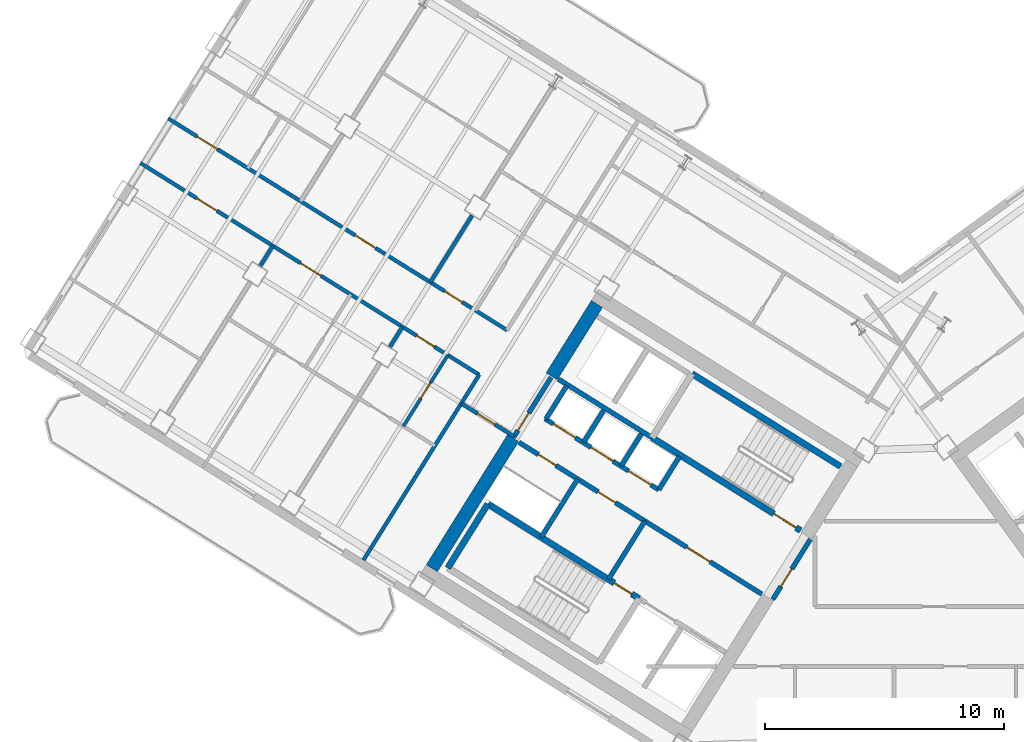
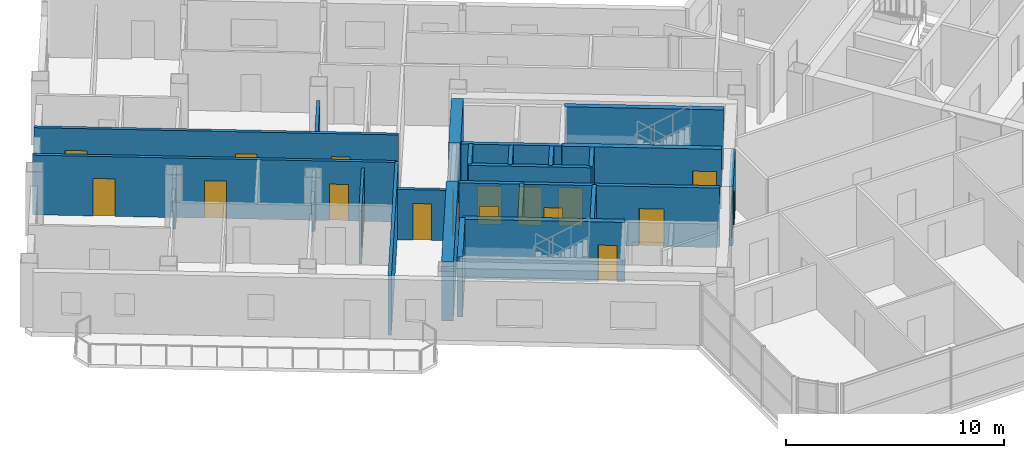
# One storey, part 12 of 20: 26 walls, 18 doors, 18 openings.
"""IFC4 building model written with IfcOpenShell, lengths in metres."""

import ifcopenshell
import ifcopenshell.guid

model = None  # the IFC model being written
_history = None  # IfcOwnerHistory: only IFC2X3 demands one
_inside = {}  # id of a spatial element -> (the spatial element, [elements in it])
_under = {}  # id of a project, library or spatial element -> (it, [spatial elements below it])
_declared = {}  # id of a project -> (the project, [libraries it declares])
_typed = {}  # id of a type object -> (the type object, [elements of that type])
_made_of = {}  # id of a material, layer set ... -> (it, [elements and type objects made of it])


def new_model(schema):
    """Start an empty IFC model of exactly this schema.

    Asked for "IFC4X3", IfcOpenShell would pick the latest addendum, in which some entities
    have other attributes; the version numbers below select the first issue.
    IFC2X3 requires an IfcOwnerHistory on every rooted entity: one is made here for all.
    """
    global model, _history
    if schema == "IFC4X3":
        model = ifcopenshell.file(schema_version=(4, 3, 0, 0))
    else:
        model = ifcopenshell.file(schema=schema)
    _inside.clear()
    _under.clear()
    _declared.clear()
    _typed.clear()
    _made_of.clear()
    _history = None
    if model.schema == "IFC2X3":
        org = make("IfcOrganization", Name="unknown")
        user = make(
            "IfcPersonAndOrganization",
            ThePerson=make("IfcPerson", FamilyName="unknown"),
            TheOrganization=org,
        )
        app = make(
            "IfcApplication",
            ApplicationDeveloper=org,
            Version="unknown",
            ApplicationFullName="unknown",
            ApplicationIdentifier="unknown",
        )
        _history = make(
            "IfcOwnerHistory",
            OwningUser=user,
            OwningApplication=app,
            ChangeAction="ADDED",
            CreationDate=0,
        )
    return model


def make(cls, **values):
    """One entity of the class cls with the attributes given. An attribute that is None is left unset."""
    return model.create_entity(
        cls, **{name: value for name, value in values.items() if value is not None}
    )


def rooted(cls, **values):
    """An entity with a GlobalId (a new one), such as an element, a storey or a relation."""
    return make(cls, GlobalId=ifcopenshell.guid.new(), OwnerHistory=_history, **values)


def si_unit(unit_type, name, prefix=None):
    """IfcSIUnit, for example si_unit("LENGTHUNIT", "METRE", prefix="MILLI")."""
    return make("IfcSIUnit", UnitType=unit_type, Prefix=prefix, Name=name)


def assignment(units):
    """IfcUnitAssignment: the units of a project."""
    return None if units is None else make("IfcUnitAssignment", Units=units)


def point(xyz):
    """IfcCartesianPoint."""
    return None if xyz is None else make("IfcCartesianPoint", Coordinates=xyz)


def direction(xyz):
    """IfcDirection."""
    return None if xyz is None else make("IfcDirection", DirectionRatios=xyz)


def frame(location, z_axis=None, x_axis=None):
    """IfcAxis2Placement3D, a coordinate frame: its origin and axes. An axis left out is left unset."""
    return make(
        "IfcAxis2Placement3D",
        Location=point(location),
        Axis=direction(z_axis),
        RefDirection=direction(x_axis),
    )


def frame_2d(location, x_axis=None):
    """IfcAxis2Placement2D, a coordinate frame in the plane: its origin and x axis."""
    return make(
        "IfcAxis2Placement2D", Location=point(location), RefDirection=direction(x_axis)
    )


def origin():
    """The frame at (0, 0, 0) with its axes left unset."""
    return frame((0.0, 0.0, 0.0))


def place(relative_to, where):
    """IfcLocalPlacement: puts the frame where relative to a parent placement (None: the world)."""
    return make(
        "IfcLocalPlacement", PlacementRelTo=relative_to, RelativePlacement=where
    )


def context(
    kind, dimensions, precision=None, world=None, true_north=None, identifier=None
):
    """IfcGeometricRepresentationContext, for example the 3D "Model" context."""
    return make(
        "IfcGeometricRepresentationContext",
        ContextIdentifier=identifier,
        ContextType=kind,
        CoordinateSpaceDimension=dimensions,
        Precision=precision,
        WorldCoordinateSystem=world,
        TrueNorth=true_north,
    )


def subcontext(parent, identifier, kind, view, scale=None):
    """IfcGeometricRepresentationSubContext, for example "Body" below "Model"."""
    return make(
        "IfcGeometricRepresentationSubContext",
        ContextIdentifier=identifier,
        ContextType=kind,
        ParentContext=parent,
        TargetScale=scale,
        TargetView=view,
    )


def project(units=None, contexts=None):
    """IfcProject with its units and contexts."""
    return rooted(
        "IfcProject",
        Name="project",
        RepresentationContexts=contexts,
        UnitsInContext=assignment(units),
    )


def spatial(cls, under=None, at=None, **own):
    """A site, building, storey or space (cls), placed at a placement, below another one or the project."""
    s = rooted(cls, ObjectPlacement=at, **own)
    if under is not None:
        _under.setdefault(under.id(), (under, []))[1].append(s)
    return s


def profile(cls, at=None, kind="AREA", **sizes):
    """A parametric profile (cls). Its sizes go by their IFC names, for example OverallWidth=200.0."""
    return make(cls, ProfileType=kind, Position=at, **sizes)


def rectangle(**sizes):
    """IfcRectangleProfileDef."""
    return profile("IfcRectangleProfileDef", **sizes)


def extrude(swept, where, along, depth):
    """IfcExtrudedAreaSolid: the profile swept, set in the frame where, extruded along a direction by depth."""
    return make(
        "IfcExtrudedAreaSolid",
        SweptArea=swept,
        Position=where,
        ExtrudedDirection=direction(along),
        Depth=depth,
    )


def shape(context_of_items, identifier, shape_type, items):
    """IfcShapeRepresentation: the items that make up one representation, for example the "Body"."""
    return make(
        "IfcShapeRepresentation",
        ContextOfItems=context_of_items,
        RepresentationIdentifier=identifier,
        RepresentationType=shape_type,
        Items=items,
    )


def source(mapping_origin, context_of_items, identifier, shape_type, items):
    """IfcRepresentationMap: a shape defined once, which mapped items show again and again."""
    return make(
        "IfcRepresentationMap",
        MappingOrigin=mapping_origin,
        MappedRepresentation=shape(context_of_items, identifier, shape_type, items),
    )


def transform(
    local_origin,
    x_axis=None,
    y_axis=None,
    z_axis=None,
    scale=None,
    scale2=None,
    scale3=None,
    uniform=True,
):
    """IfcCartesianTransformationOperator3D, or its non-uniform kind. x_axis, y_axis, z_axis: its Axis1, 2, 3."""
    if uniform:
        return make(
            "IfcCartesianTransformationOperator3D",
            Axis1=direction(x_axis),
            Axis2=direction(y_axis),
            LocalOrigin=point(local_origin),
            Scale=scale,
            Axis3=direction(z_axis),
        )
    return make(
        "IfcCartesianTransformationOperator3DnonUniform",
        Axis1=direction(x_axis),
        Axis2=direction(y_axis),
        LocalOrigin=point(local_origin),
        Scale=scale,
        Axis3=direction(z_axis),
        Scale2=scale2,
        Scale3=scale3,
    )


def mapped(mapping_source, mapping_target):
    """IfcMappedItem: shows the shape of a source again, moved by a transform."""
    return make(
        "IfcMappedItem", MappingSource=mapping_source, MappingTarget=mapping_target
    )


def material(Name=None, Category=None):
    """IfcMaterial."""
    return make("IfcMaterial", Name=Name, Category=Category)


def layer(
    of_material, thickness, ventilated=None, Name=None, Category=None, Priority=None
):
    """IfcMaterialLayer: one layer of a wall or slab, of a material (None: an air gap)."""
    return make(
        "IfcMaterialLayer",
        Material=of_material,
        LayerThickness=thickness,
        IsVentilated=ventilated,
        Name=Name,
        Category=Category,
        Priority=Priority,
    )


def layer_set(layers, Name=None):
    """IfcMaterialLayerSet."""
    return make("IfcMaterialLayerSet", MaterialLayers=layers, LayerSetName=Name)


def made_of(thing, what):
    """Note that an element or type object is made of a material, layer set ...; save() writes the relation."""
    if what is not None:
        _made_of.setdefault(what.id(), (what, []))[1].append(thing)
    return thing


def type_object(cls, material=None, **own):
    """A type object (cls), such as IfcWallType, which elements share."""
    return made_of(rooted(cls, **own), material)


def element(
    cls,
    number,
    at=None,
    inside=None,
    cuts=None,
    type_object=None,
    material=None,
    context=None,
    identifier="Body",
    shape_type=None,
    held_by="IfcProductDefinitionShape",
    body=None,
    shapes=None,
    **own,
):
    """One element of the class cls, such as IfcWall. Its Tag is "e" and its number.

    at: its placement. inside: the storey or other place that contains it. cuts: it is an
    opening in that element (IfcRelVoidsElement). A single representation is given by context,
    identifier, shape_type and body (its items); several are given by shapes. held_by: the class
    of the entity that holds the representations. save() writes the other relations.
    """
    e = rooted(cls, Tag="e%d" % number, ObjectPlacement=at, **own)
    if body is not None:
        shapes = [shape(context, identifier, shape_type, body)]
    if shapes is not None:
        e.Representation = make(held_by, Representations=shapes)
    if inside is not None:
        _inside.setdefault(inside.id(), (inside, []))[1].append(e)
    if cuts is not None:
        rooted(
            "IfcRelVoidsElement", RelatingBuildingElement=cuts, RelatedOpeningElement=e
        )
    if type_object is not None:
        _typed.setdefault(type_object.id(), (type_object, []))[1].append(e)
    return made_of(e, material)


def fill(opening, filler):
    """IfcRelFillsElement: the door or window that sits in an opening."""
    return rooted(
        "IfcRelFillsElement",
        RelatingOpeningElement=opening,
        RelatedBuildingElement=filler,
    )


def aggregate(whole, parts):
    """IfcRelAggregates: a whole, such as a stair, and the parts it consists of."""
    return rooted("IfcRelAggregates", RelatingObject=whole, RelatedObjects=parts)


def save(model, path):
    """Write the relations noted so far, then the file.

    IfcRelAggregates (storeys below a building ...), IfcRelContainedInSpatialStructure (elements
    in a storey), IfcRelDefinesByType, IfcRelAssociatesMaterial and IfcRelDeclares: one each for
    every whole, place, type object, material and project.
    """
    for whole, parts in _under.values():
        aggregate(whole, parts)
    for where, things in _inside.values():
        rooted(
            "IfcRelContainedInSpatialStructure",
            RelatedElements=things,
            RelatingStructure=where,
        )
    for kind, things in _typed.values():
        rooted("IfcRelDefinesByType", RelatedObjects=things, RelatingType=kind)
    for what, things in _made_of.values():
        rooted("IfcRelAssociatesMaterial", RelatedObjects=things, RelatingMaterial=what)
    for by, libraries in _declared.values():
        rooted("IfcRelDeclares", RelatingContext=by, RelatedDefinitions=libraries)
    model.write(path)


model = new_model("IFC4")

# Units and contexts
model_context = context("Model", 3, precision=1e-05, world=origin(), true_north=direction((0.0, 1.0)))
body_context = subcontext(model_context, "Body", "Model", "MODEL_VIEW")
ifc_project = project(units=[si_unit("LENGTHUNIT", "METRE"), si_unit("AREAUNIT", "SQUARE_METRE"), si_unit("VOLUMEUNIT", "CUBIC_METRE"), si_unit("PLANEANGLEUNIT", "RADIAN"), si_unit("MASSUNIT", "GRAM", prefix="KILO")], contexts=[model_context])

# Site, building, storey
site_placement = place(None, origin())
site = spatial("IfcSite", under=ifc_project, at=site_placement, CompositionType="ELEMENT")
building_placement = place(site_placement, origin())
building = spatial("IfcBuilding", under=site, at=building_placement, Name="Tlacorven Tower", CompositionType="ELEMENT")
storey_placement = place(building_placement, frame((0.0, 0.0, 187.800048828125)))
storey = spatial("IfcBuildingStorey", under=building, at=storey_placement, Name="L47", CompositionType="ELEMENT", Elevation=187.800048828125)

# Walls
ifc_material_1 = material(Name="Concrete C60/75", Category="concrete")
ifc_layer_1 = layer(ifc_material_1, 0.550048828125)
ifc_layer_set_1 = layer_set([ifc_layer_1], Name="Concrete C60/75")
wall_type_1 = type_object("IfcWallType", Name="WL-COR-550", PredefinedType="SHEAR", material=ifc_layer_set_1)
wall_1_placement = place(storey_placement, frame((29.517333984375, 30.59423828125, 0.0), z_axis=(0.0, 0.0, 1.0), x_axis=(-0.529906864564, -0.848055844204, 0.0)))
element("IfcWall", 1, at=wall_1_placement, inside=storey, type_object=wall_type_1, Name="L47 W core end wall E2.1", PredefinedType="SHEAR", context=body_context, shape_type="SweptSolid", body=[
    extrude(rectangle(XDim=3.5751953125, YDim=0.550048828125, at=frame_2d((1.78759765625, 0.0))), origin(), (0.0, 0.0, 1.0), 3.349853515625),
])
wall_2_placement = place(storey_placement, frame((26.006591796875, 24.975830078125, 0.0), z_axis=(0.0, 0.0, 1.0), x_axis=(-0.529923795287, -0.848045264823, 0.0)))
element("IfcWall", 2, at=wall_2_placement, inside=storey, type_object=wall_type_1, Name="L47 W core end wall E2.2", PredefinedType="SHEAR", context=body_context, shape_type="SweptSolid", body=[
    extrude(rectangle(XDim=6.425048828125, YDim=0.550048828125, at=frame_2d((3.21240234375, 0.0))), origin(), (0.0, 0.0, 1.0), 3.349853515625),
])

# Wall, opening, door
ifc_material_2 = material(Name="Gypsum plasterboard acoustic partition", Category="gypsum")
ifc_layer_2 = layer(ifc_material_2, 0.159912109375)
ifc_layer_set_2 = layer_set([ifc_layer_2], Name="Gypsum plasterboard acoustic partition")
wall_type_2 = type_object("IfcWallType", Name="WL-DEM-160", PredefinedType="PARTITIONING", material=ifc_layer_set_2)
wall_3_placement = place(storey_placement, frame((26.048828125, 25.043701171875, 0.0), z_axis=(0.0, 0.0, 1.0), x_axis=(-0.848050851465, 0.529914854792, 0.0)))
wall_3 = element("IfcWall", 3, at=wall_3_placement, inside=storey, type_object=wall_type_2, Name="L47 partition 44", PredefinedType="PARTITIONING", context=body_context, shape_type="SweptSolid", body=[
    extrude(rectangle(XDim=2.60986328125, YDim=0.159912109375, at=frame_2d((1.304931640625, 0.0))), origin(), (0.0, 0.0, 1.0), 2.824951171875),
])
opening_1_placement = place(wall_3_placement, frame((0.949951171875, 0.0, 0.0)))
opening_1 = element("IfcOpeningElement", 4, at=opening_1_placement, cuts=wall_3, Name="Opening D19", PredefinedType="OPENING", context=body_context, shape_type="SweptSolid", body=[
    extrude(rectangle(XDim=0.860107421875, YDim=2.050048828125, at=frame_2d((0.43017578125, 1.02490234375))), frame((0.0, 0.08984375, 0.0), z_axis=(0.0, -1.0, 0.0), x_axis=(1.0, 0.0, 0.0)), (0.0, 0.0, 1.0), 0.179931640625),
])
ifc_material_3 = material(Name="Fire-rated steel door assembly", Category="steel")
door_type_1 = type_object("IfcDoorType", Name="DR-RSR-FD60-0860", OperationType="NOTDEFINED", PredefinedType="DOOR", material=ifc_material_3)
shared_shape_1 = source(origin(), body_context, "Body", "SweptSolid", [
    extrude(rectangle(XDim=0.860107421875, YDim=2.050048828125, at=frame_2d((0.43017578125, 1.02490234375))), frame((0.0, 0.02490234375, 0.0), z_axis=(0.0, -1.0, 0.0), x_axis=(1.0, 0.0, 0.0)), (0.0, 0.0, 1.0), 0.050048828125),
])
door_1_placement = place(opening_1_placement, origin())
door_1 = element("IfcDoor", 5, at=door_1_placement, inside=storey, type_object=door_type_1, Name="L47 door 020", OperationType="SINGLE_SWING_LEFT", OverallHeight=2.050048828125, OverallWidth=0.860107421875, PredefinedType="DOOR", context=body_context, shape_type="MappedRepresentation", body=[
    mapped(shared_shape_1, transform((0.0, 0.0, 0.0), scale=1.0)),
])
fill(opening_1, door_1)

# Wall
wall_4_placement = place(storey_placement, frame((24.587890625, 27.630859375, 0.0), z_axis=(0.0, 0.0, 1.0), x_axis=(-0.529914992377, -0.848050765494, 0.0)))
element("IfcWall", 6, at=wall_4_placement, inside=storey, type_object=wall_type_2, Name="L47 partition 46", PredefinedType="PARTITIONING", context=body_context, shape_type="SweptSolid", body=[
    extrude(rectangle(XDim=9.14990234375, YDim=0.159912109375, at=frame_2d((4.574951171875, 0.0))), origin(), (0.0, 0.0, 1.0), 3.33984375),
])

# Wall, openings, doors
wall_5_placement = place(storey_placement, frame((25.75390625, 29.49658203125, 0.0), z_axis=(0.0, 0.0, 1.0), x_axis=(-0.848045850158, 0.529922858565, 0.0)))
wall_5 = element("IfcWall", 7, at=wall_5_placement, inside=storey, type_object=wall_type_2, Name="L47 Wing W Corridor South Wall", PredefinedType="PARTITIONING", context=body_context, shape_type="SweptSolid", body=[
    extrude(rectangle(XDim=16.730224609375, YDim=0.159912109375, at=frame_2d((8.365234375, 0.0))), origin(), (0.0, 0.0, 1.0), 3.33984375),
])
opening_2_placement = place(wall_5_placement, frame((2.219970703125, 0.0, 0.0)))
opening_2 = element("IfcOpeningElement", 8, at=opening_2_placement, cuts=wall_5, Name="Opening D19", PredefinedType="OPENING", context=body_context, shape_type="SweptSolid", body=[
    extrude(rectangle(XDim=0.860107421875, YDim=2.050048828125, at=frame_2d((0.43017578125, 1.02490234375))), frame((0.0, 0.08984375, 0.0), z_axis=(0.0, -1.0, 0.0), x_axis=(1.0, 0.0, 0.0)), (0.0, 0.0, 1.0), 0.179931640625),
])
opening_3_placement = place(wall_5_placement, frame((6.489990234375, 0.0, 0.0)))
opening_3 = element("IfcOpeningElement", 9, at=opening_3_placement, cuts=wall_5, Name="Opening D11", PredefinedType="OPENING", context=body_context, shape_type="SweptSolid", body=[
    extrude(rectangle(XDim=1.0, YDim=2.10009765625, at=frame_2d((0.5, 1.050048828125))), frame((0.0, 0.08984375, 0.0), z_axis=(0.0, -1.0, 0.0), x_axis=(1.0, 0.0, 0.0)), (0.0, 0.0, 1.0), 0.179931640625),
])
opening_4_placement = place(wall_5_placement, frame((14.303955078125, 0.0, 0.0)))
opening_4 = element("IfcOpeningElement", 10, at=opening_4_placement, cuts=wall_5, Name="Opening D11", PredefinedType="OPENING", context=body_context, shape_type="SweptSolid", body=[
    extrude(rectangle(XDim=1.0, YDim=2.10009765625, at=frame_2d((0.5, 1.050048828125))), frame((0.0, 0.08984375, 0.0), z_axis=(0.0, -1.0, 0.0), x_axis=(1.0, 0.0, 0.0)), (0.0, 0.0, 1.0), 0.179931640625),
])
door_2_placement = place(opening_2_placement, origin())
door_2 = element("IfcDoor", 11, at=door_2_placement, inside=storey, type_object=door_type_1, Name="L47 door 031", OperationType="SINGLE_SWING_LEFT", OverallHeight=2.050048828125, OverallWidth=0.860107421875, PredefinedType="DOOR", context=body_context, shape_type="MappedRepresentation", body=[
    mapped(shared_shape_1, transform((0.0, 0.0, 0.0), scale=1.0)),
])
fill(opening_2, door_2)
door_type_2 = type_object("IfcDoorType", Name="DR-FLT-FD60-1000", OperationType="NOTDEFINED", PredefinedType="DOOR", material=ifc_material_3)
shared_shape_2 = source(origin(), body_context, "Body", "SweptSolid", [
    extrude(rectangle(XDim=1.0, YDim=2.10009765625, at=frame_2d((0.5, 1.050048828125))), frame((0.0, 0.02490234375, 0.0), z_axis=(0.0, -1.0, 0.0), x_axis=(1.0, 0.0, 0.0)), (0.0, 0.0, 1.0), 0.050048828125),
])
door_3_placement = place(opening_3_placement, origin())
door_3 = element("IfcDoor", 12, at=door_3_placement, inside=storey, type_object=door_type_2, Name="L47 door 034", OperationType="SINGLE_SWING_RIGHT", OverallHeight=2.10009765625, OverallWidth=1.0, PredefinedType="DOOR", context=body_context, shape_type="MappedRepresentation", body=[
    mapped(shared_shape_2, transform((0.0, 0.0, 0.0), scale=1.0)),
])
fill(opening_3, door_3)
door_4_placement = place(opening_4_placement, origin())
door_4 = element("IfcDoor", 13, at=door_4_placement, inside=storey, type_object=door_type_2, Name="L47 door 037", OperationType="SINGLE_SWING_LEFT", OverallHeight=2.10009765625, OverallWidth=1.0, PredefinedType="DOOR", context=body_context, shape_type="MappedRepresentation", body=[
    mapped(shared_shape_2, transform((0.0, 0.0, 0.0), scale=1.0)),
])
fill(opening_4, door_4)

wall_6_placement = place(storey_placement, frame((24.587890625, 27.630859375, 0.0), z_axis=(0.0, 0.0, 1.0), x_axis=(-0.848041752158, 0.529929416617, 0.0)))
wall_6 = element("IfcWall", 14, at=wall_6_placement, inside=storey, type_object=wall_type_2, Name="L47 Wing W Corridor North Wall", PredefinedType="PARTITIONING", context=body_context, shape_type="SweptSolid", body=[
    extrude(rectangle(XDim=16.72998046875, YDim=0.159912109375, at=frame_2d((8.364990234375, 0.0))), origin(), (0.0, 0.0, 1.0), 3.33984375),
])
opening_5_placement = place(wall_6_placement, frame((2.219970703125, 0.0, 0.0)))
opening_5 = element("IfcOpeningElement", 15, at=opening_5_placement, cuts=wall_6, Name="Opening D19", PredefinedType="OPENING", context=body_context, shape_type="SweptSolid", body=[
    extrude(rectangle(XDim=0.860107421875, YDim=2.050048828125, at=frame_2d((0.43017578125, 1.02490234375))), frame((0.0, 0.08984375, 0.0), z_axis=(0.0, -1.0, 0.0), x_axis=(1.0, 0.0, 0.0)), (0.0, 0.0, 1.0), 0.179931640625),
])
opening_6_placement = place(wall_6_placement, frame((7.820068359375, 0.0, 0.0)))
opening_6 = element("IfcOpeningElement", 16, at=opening_6_placement, cuts=wall_6, Name="Opening D11", PredefinedType="OPENING", context=body_context, shape_type="SweptSolid", body=[
    extrude(rectangle(XDim=1.0, YDim=2.10009765625, at=frame_2d((0.5, 1.050048828125))), frame((0.0, 0.08984375, 0.0), z_axis=(0.0, -1.0, 0.0), x_axis=(1.0, 0.0, 0.0)), (0.0, 0.0, 1.0), 0.179931640625),
])
opening_7_placement = place(wall_6_placement, frame((12.949951171875, 0.0, 0.0)))
opening_7 = element("IfcOpeningElement", 17, at=opening_7_placement, cuts=wall_6, Name="Opening D11", PredefinedType="OPENING", context=body_context, shape_type="SweptSolid", body=[
    extrude(rectangle(XDim=1.0, YDim=2.10009765625, at=frame_2d((0.5, 1.050048828125))), frame((0.0, 0.08984375, 0.0), z_axis=(0.0, -1.0, 0.0), x_axis=(1.0, 0.0, 0.0)), (0.0, 0.0, 1.0), 0.179931640625),
])
door_5_placement = place(opening_5_placement, origin())
door_5 = element("IfcDoor", 18, at=door_5_placement, inside=storey, type_object=door_type_1, Name="L47 door 022", OperationType="SINGLE_SWING_RIGHT", OverallHeight=2.050048828125, OverallWidth=0.860107421875, PredefinedType="DOOR", context=body_context, shape_type="MappedRepresentation", body=[
    mapped(shared_shape_1, transform((0.0, 0.0, 0.0), scale=1.0)),
])
fill(opening_5, door_5)
door_6_placement = place(opening_6_placement, origin())
door_6 = element("IfcDoor", 19, at=door_6_placement, inside=storey, type_object=door_type_2, Name="L47 door 026", OperationType="SINGLE_SWING_RIGHT", OverallHeight=2.10009765625, OverallWidth=1.0, PredefinedType="DOOR", context=body_context, shape_type="MappedRepresentation", body=[
    mapped(shared_shape_2, transform((0.0, 0.0, 0.0), scale=1.0)),
])
fill(opening_6, door_6)
door_7_placement = place(opening_7_placement, origin())
door_7 = element("IfcDoor", 20, at=door_7_placement, inside=storey, type_object=door_type_2, Name="L47 door 029", OperationType="SINGLE_SWING_LEFT", OverallHeight=2.10009765625, OverallWidth=1.0, PredefinedType="DOOR", context=body_context, shape_type="MappedRepresentation", body=[
    mapped(shared_shape_2, transform((0.0, 0.0, 0.0), scale=1.0)),
])
fill(opening_7, door_7)

# Walls
for number, where, z_axis, x_axis, name in (
    (21, (21.3740234375, 29.639404296875, 0.0), (0.0, 0.0, 1.0), (-0.529998940003, -0.847998304005, 0.0), "L47 WN Demising Wall 1"),
    (22, (15.9462890625, 33.03076171875, 0.0), (0.0, 0.0, 1.0), (-0.529821225456, -0.848109349704, 0.0), "L47 WN Demising Wall 2"),
):
    element("IfcWall", number, at=place(storey_placement, frame(where, z_axis=z_axis, x_axis=x_axis)), inside=storey, type_object=wall_type_2, Name=name, PredefinedType="PARTITIONING", context=body_context, shape_type="SweptSolid", body=[
        extrude(rectangle(XDim=0.988037109375, YDim=0.159912109375, at=frame_2d((0.494140625, 0.0))), origin(), (0.0, 0.0, 1.0), 2.824951171875),
    ])
wall_7_placement = place(storey_placement, frame((24.2822265625, 34.29345703125, 0.0), z_axis=(0.0, 0.0, 1.0), x_axis=(-0.529938869374, -0.84803584519, 0.0)))
element("IfcWall", 23, at=wall_7_placement, inside=storey, type_object=wall_type_2, Name="L47 WS Demising Wall 1", PredefinedType="PARTITIONING", context=body_context, shape_type="SweptSolid", body=[
    extrude(rectangle(XDim=3.2880859375, YDim=0.159912109375, at=frame_2d((1.64404296875, 0.0))), origin(), (0.0, 0.0, 1.0), 2.824951171875),
])

# Wall, opening, door
ifc_material_4 = material(Name="Moisture-resistant gypsum plumbing wall", Category="gypsum")
ifc_layer_3 = layer(ifc_material_4, 0.139892578125)
ifc_layer_set_3 = layer_set([ifc_layer_3], Name="Moisture-resistant gypsum plumbing wall")
wall_type_3 = type_object("IfcWallType", Name="WL-PLM-140", PredefinedType="PLUMBINGWALL", material=ifc_layer_set_3)
wall_8_placement = place(storey_placement, frame((23.2734375, 28.452392578125, 0.0), z_axis=(0.0, 0.0, 1.0), x_axis=(-0.529867639402, -0.848080352747, 0.0)))
wall_8 = element("IfcWall", 24, at=wall_8_placement, inside=storey, type_object=wall_type_3, Name="L47 partition 52", PredefinedType="PLUMBINGWALL", context=body_context, shape_type="SweptSolid", body=[
    extrude(rectangle(XDim=3.510009765625, YDim=0.139892578125, at=frame_2d((1.7548828125, 0.0))), origin(), (0.0, 0.0, 1.0), 2.994873046875),
])
opening_8_placement = place(wall_8_placement, frame((1.364990234375, 0.0, 0.0)))
opening_8 = element("IfcOpeningElement", 25, at=opening_8_placement, cuts=wall_8, Name="Opening D22", PredefinedType="OPENING", context=body_context, shape_type="SweptSolid", body=[
    extrude(rectangle(XDim=0.780029296875, YDim=2.050048828125, at=frame_2d((0.39013671875, 1.02490234375))), frame((0.0, 0.080078125, 0.0), z_axis=(0.0, -1.0, 0.0), x_axis=(1.0, 0.0, 0.0)), (0.0, 0.0, 1.0), 0.159912109375),
])
ifc_material_5 = material(Name="Powder-coated aluminium and timber door", Category="wood")
door_type_3 = type_object("IfcDoorType", Name="DR-INT-WET-0780", OperationType="NOTDEFINED", PredefinedType="DOOR", material=ifc_material_5)
shared_shape_3 = source(origin(), body_context, "Body", "SweptSolid", [
    extrude(rectangle(XDim=0.780029296875, YDim=2.050048828125, at=frame_2d((0.39013671875, 1.02490234375))), frame((0.0, 0.02490234375, 0.0), z_axis=(0.0, -1.0, 0.0), x_axis=(1.0, 0.0, 0.0)), (0.0, 0.0, 1.0), 0.050048828125),
])
door_8_placement = place(opening_8_placement, origin())
door_8 = element("IfcDoor", 26, at=door_8_placement, inside=storey, type_object=door_type_3, Name="L47 door 024", OperationType="SINGLE_SWING_RIGHT", OverallHeight=2.050048828125, OverallWidth=0.780029296875, PredefinedType="DOOR", context=body_context, shape_type="MappedRepresentation", body=[
    mapped(shared_shape_3, transform((0.0, 0.0, 0.0), scale=1.0)),
])
fill(opening_8, door_8)

ifc_material_6 = material(Name="Concrete C40/50", Category="concrete")
ifc_layer_4 = layer(ifc_material_6, 0.199951171875)
ifc_layer_set_4 = layer_set([ifc_layer_4], Name="Concrete C40/50")
wall_type_4 = type_object("IfcWallType", Name="WL-SHF-200", PredefinedType="STANDARD", material=ifc_layer_set_4)
wall_9_placement = place(storey_placement, frame((36.416748046875, 18.447265625, 0.0), z_axis=(0.0, 0.0, 1.0), x_axis=(-0.848064879198, 0.529892404805, 0.0)))
wall_9 = element("IfcWall", 27, at=wall_9_placement, inside=storey, type_object=wall_type_4, Name="L47 Core W Smoke Lobby Wall", PredefinedType="STANDARD", context=body_context, shape_type="SweptSolid", body=[
    extrude(rectangle(XDim=5.76806640625, YDim=0.199951171875, at=frame_2d((2.884033203125, 0.0))), origin(), (0.0, 0.0, 1.0), 3.33984375),
])
opening_9_placement = place(wall_9_placement, frame((2.548095703125, 0.0, 0.0)))
opening_9 = element("IfcOpeningElement", 28, at=opening_9_placement, cuts=wall_9, Name="Opening D09", PredefinedType="OPENING", context=body_context, shape_type="SweptSolid", body=[
    extrude(rectangle(XDim=1.14990234375, YDim=2.10009765625, at=frame_2d((0.574951171875, 1.050048828125))), frame((0.0, 0.10986328125, 0.0), z_axis=(0.0, -1.0, 0.0), x_axis=(1.0, 0.0, 0.0)), (0.0, 0.0, 1.0), 0.219970703125),
])
door_type_4 = type_object("IfcDoorType", Name="DR-FFL-FD60-1150", OperationType="NOTDEFINED", PredefinedType="DOOR", material=ifc_material_3)
shared_shape_4 = source(origin(), body_context, "Body", "SweptSolid", [
    extrude(rectangle(XDim=1.14990234375, YDim=2.10009765625, at=frame_2d((0.574951171875, 1.050048828125))), frame((0.0, 0.02490234375, 0.0), z_axis=(0.0, -1.0, 0.0), x_axis=(1.0, 0.0, 0.0)), (0.0, 0.0, 1.0), 0.050048828125),
])
door_9_placement = place(opening_9_placement, origin())
door_9 = element("IfcDoor", 29, at=door_9_placement, inside=storey, type_object=door_type_4, Name="L47 Firefighting Lobby W Fire Door", OperationType="SINGLE_SWING_LEFT", OverallHeight=2.10009765625, OverallWidth=1.14990234375, PredefinedType="DOOR", context=body_context, shape_type="MappedRepresentation", body=[
    mapped(shared_shape_4, transform((0.0, 0.0, 0.0), scale=1.0)),
])
fill(opening_9, door_9)

# Wall
wall_10_placement = place(storey_placement, frame((31.82177734375, 24.99755859375, 0.0), z_axis=(0.0, 0.0, 1.0), x_axis=(-0.848036912365, 0.52993716162, 0.0)))
element("IfcWall", 30, at=wall_10_placement, inside=storey, type_object=wall_type_4, Name="L47 Core W South Lift Shaft Wall", PredefinedType="STANDARD", context=body_context, shape_type="SweptSolid", body=[
    extrude(rectangle(XDim=4.617919921875, YDim=0.199951171875, at=frame_2d((2.30908203125, 0.0))), origin(), (0.0, 0.0, 1.0), 3.33984375),
])

# Wall, openings, doors
wall_11_placement = place(storey_placement, frame((32.108154296875, 22.81396484375, 0.0), z_axis=(0.0, 0.0, 1.0), x_axis=(-0.848042229521, 0.529928652696, 0.0)))
wall_11 = element("IfcWall", 31, at=wall_11_placement, inside=storey, type_object=wall_type_4, Name="L47 partition 11", PredefinedType="STANDARD", context=body_context, shape_type="SweptSolid", body=[
    extrude(rectangle(XDim=5.6201171875, YDim=0.199951171875, at=frame_2d((2.81005859375, 0.0))), origin(), (0.0, 0.0, 1.0), 3.33984375),
])
opening_10_placement = place(wall_11_placement, frame((0.389892578125, 0.0, 0.0)))
opening_10 = element("IfcOpeningElement", 32, at=opening_10_placement, cuts=wall_11, Name="Opening LD01", PredefinedType="OPENING", context=body_context, shape_type="SweptSolid", body=[
    extrude(rectangle(XDim=1.10009765625, YDim=2.14990234375, at=frame_2d((0.550048828125, 1.074951171875))), frame((0.0, 0.10986328125, 0.0), z_axis=(0.0, -1.0, 0.0), x_axis=(1.0, 0.0, 0.0)), (0.0, 0.0, 1.0), 0.219970703125),
])
opening_11_placement = place(wall_11_placement, frame((2.25, 0.0, 0.0)))
opening_11 = element("IfcOpeningElement", 33, at=opening_11_placement, cuts=wall_11, Name="Opening LD01", PredefinedType="OPENING", context=body_context, shape_type="SweptSolid", body=[
    extrude(rectangle(XDim=1.10009765625, YDim=2.14990234375, at=frame_2d((0.550048828125, 1.074951171875))), frame((0.0, 0.10986328125, 0.0), z_axis=(0.0, -1.0, 0.0), x_axis=(1.0, 0.0, 0.0)), (0.0, 0.0, 1.0), 0.219970703125),
])
opening_12_placement = place(wall_11_placement, frame((4.110107421875, 0.0, 0.0)))
opening_12 = element("IfcOpeningElement", 34, at=opening_12_placement, cuts=wall_11, Name="Opening LD01", PredefinedType="OPENING", context=body_context, shape_type="SweptSolid", body=[
    extrude(rectangle(XDim=1.10009765625, YDim=2.14990234375, at=frame_2d((0.550048828125, 1.074951171875))), frame((0.0, 0.10986328125, 0.0), z_axis=(0.0, -1.0, 0.0), x_axis=(1.0, 0.0, 0.0)), (0.0, 0.0, 1.0), 0.219970703125),
])
door_type_5 = type_object("IfcDoorType", Name="DR-LFT-SLID-1100", OperationType="DOUBLE_DOOR_SLIDING", PredefinedType="DOOR", material=ifc_material_3)
shared_shape_5 = source(origin(), body_context, "Body", "SweptSolid", [
    extrude(rectangle(XDim=1.10009765625, YDim=2.14990234375, at=frame_2d((0.550048828125, 1.074951171875))), frame((0.0, 0.02490234375, 0.0), z_axis=(0.0, -1.0, 0.0), x_axis=(1.0, 0.0, 0.0)), (0.0, 0.0, 1.0), 0.050048828125),
])
door_10_placement = place(opening_10_placement, origin())
door_10 = element("IfcDoor", 35, at=door_10_placement, inside=storey, type_object=door_type_5, Name="L47 Lift PL-M1 Sliding Landing Door", OperationType="DOUBLE_DOOR_SLIDING", OverallHeight=2.14990234375, OverallWidth=1.10009765625, PredefinedType="DOOR", context=body_context, shape_type="MappedRepresentation", body=[
    mapped(shared_shape_5, transform((0.0, 0.0, 0.0), scale=1.0)),
])
fill(opening_10, door_10)
door_11_placement = place(opening_11_placement, origin())
door_11 = element("IfcDoor", 36, at=door_11_placement, inside=storey, type_object=door_type_5, Name="L47 Lift PL-M2 Sliding Landing Door", OperationType="DOUBLE_DOOR_SLIDING", OverallHeight=2.14990234375, OverallWidth=1.10009765625, PredefinedType="DOOR", context=body_context, shape_type="MappedRepresentation", body=[
    mapped(shared_shape_5, transform((0.0, 0.0, 0.0), scale=1.0)),
])
fill(opening_11, door_11)
door_12_placement = place(opening_12_placement, origin())
door_12 = element("IfcDoor", 37, at=door_12_placement, inside=storey, type_object=door_type_5, Name="L47 Lift PL-M3 Sliding Landing Door", OperationType="DOUBLE_DOOR_SLIDING", OverallHeight=2.14990234375, OverallWidth=1.10009765625, PredefinedType="DOOR", context=body_context, shape_type="MappedRepresentation", body=[
    mapped(shared_shape_5, transform((0.0, 0.0, 0.0), scale=1.0)),
])
fill(opening_12, door_12)

# Walls
wall_12_placement = place(storey_placement, frame((32.982421875, 24.21337890625, 0.0), z_axis=(0.0, 0.0, 1.0), x_axis=(-0.529839334948, -0.84809803628, 0.0)))
element("IfcWall", 38, at=wall_12_placement, inside=storey, type_object=wall_type_4, Name="L47 partition 12", PredefinedType="STANDARD", context=body_context, shape_type="SweptSolid", body=[
    extrude(rectangle(XDim=1.650146484375, YDim=0.199951171875, at=frame_2d((0.8251953125, 0.0))), origin(), (0.0, 0.0, 1.0), 3.33984375),
])
wall_13_placement = place(storey_placement, frame((28.250244140625, 27.170166015625, 0.0), z_axis=(0.0, 0.0, 1.0), x_axis=(-0.529905827651, -0.848056492117, 0.0)))
element("IfcWall", 39, at=wall_13_placement, inside=storey, type_object=wall_type_4, Name="L47 partition 13", PredefinedType="STANDARD", context=body_context, shape_type="SweptSolid", body=[
    extrude(rectangle(XDim=1.64990234375, YDim=0.199951171875, at=frame_2d((0.824951171875, 0.0))), origin(), (0.0, 0.0, 1.0), 3.33984375),
])
for number, where, z_axis, x_axis, name in (
    (40, (31.378662109375, 25.156494140625, 0.0), (0.0, 0.0, 1.0), (-0.529998940003, -0.847998304005, 0.0), "L47 partition 18"),
    (41, (29.80126953125, 26.14208984375, 0.0), (0.0, 0.0, 1.0), (-0.529998940003, -0.847998304005, 0.0), "L47 partition 19"),
):
    element("IfcWall", number, at=place(storey_placement, frame(where, z_axis=z_axis, x_axis=x_axis)), inside=storey, type_object=wall_type_4, Name=name, PredefinedType="STANDARD", context=body_context, shape_type="SweptSolid", body=[
        extrude(rectangle(XDim=1.580078125, YDim=0.199951171875, at=frame_2d((0.7900390625, 0.0))), origin(), (0.0, 0.0, 1.0), 3.33984375),
    ])
for number, where, z_axis, x_axis, name in (
    (42, (31.525146484375, 21.503662109375, 0.0), (0.0, 0.0, 1.0), (-0.529907497854, -0.848055448493, 0.0), "L47 partition 20"),
    (43, (28.709716796875, 23.26318359375, 0.0), (0.0, 0.0, 1.0), (-0.529907497854, -0.848055448493, 0.0), "L47 partition 21"),
):
    element("IfcWall", number, at=place(storey_placement, frame(where, z_axis=z_axis, x_axis=x_axis)), inside=storey, type_object=wall_type_4, Name=name, PredefinedType="STANDARD", context=body_context, shape_type="SweptSolid", body=[
        extrude(rectangle(XDim=2.8798828125, YDim=0.199951171875, at=frame_2d((1.43994140625, 0.0))), origin(), (0.0, 0.0, 1.0), 3.33984375),
    ])

# Wall, openings, doors
wall_14_placement = place(storey_placement, frame((31.525146484375, 21.503662109375, 0.0), z_axis=(0.0, 0.0, 1.0), x_axis=(-0.848040211232, 0.529931882541, 0.0)))
wall_14 = element("IfcWall", 44, at=wall_14_placement, inside=storey, type_object=wall_type_4, Name="L47 Core W North Service Wall", PredefinedType="STANDARD", context=body_context, shape_type="SweptSolid", body=[
    extrude(rectangle(XDim=6.218017578125, YDim=0.199951171875, at=frame_2d((3.10888671875, 0.0))), origin(), (0.0, 0.0, 1.0), 3.33984375),
])
opening_13_placement = place(wall_14_placement, frame((4.39990234375, 0.0, 0.0)))
opening_13 = element("IfcOpeningElement", 45, at=opening_13_placement, cuts=wall_14, Name="Opening D19", PredefinedType="OPENING", context=body_context, shape_type="SweptSolid", body=[
    extrude(rectangle(XDim=0.860107421875, YDim=2.050048828125, at=frame_2d((0.43017578125, 1.02490234375))), frame((0.0, 0.10986328125, 0.0), z_axis=(0.0, -1.0, 0.0), x_axis=(1.0, 0.0, 0.0)), (0.0, 0.0, 1.0), 0.219970703125),
])
opening_14_placement = place(wall_14_placement, frame((1.449951171875, 0.0, 0.0)))
opening_14 = element("IfcOpeningElement", 46, at=opening_14_placement, cuts=wall_14, Name="Opening D19", PredefinedType="OPENING", context=body_context, shape_type="SweptSolid", body=[
    extrude(rectangle(XDim=0.860107421875, YDim=2.050048828125, at=frame_2d((0.43017578125, 1.02490234375))), frame((0.0, 0.10986328125, 0.0), z_axis=(0.0, -1.0, 0.0), x_axis=(1.0, 0.0, 0.0)), (0.0, 0.0, 1.0), 0.219970703125),
])
door_13_placement = place(opening_13_placement, frame((0.860107421875, 0.0, 0.0), z_axis=(0.0, 0.0, 1.0), x_axis=(-1.0, 0.0, 0.0)))
door_13 = element("IfcDoor", 47, at=door_13_placement, inside=storey, type_object=door_type_1, Name="L47 Electrical Riser Access Door W", OperationType="SINGLE_SWING_RIGHT", OverallHeight=2.050048828125, OverallWidth=0.860107421875, PredefinedType="DOOR", context=body_context, shape_type="MappedRepresentation", body=[
    mapped(shared_shape_1, transform((0.0, 0.0, 0.0), scale=1.0)),
])
fill(opening_13, door_13)
door_14_placement = place(opening_14_placement, frame((0.860107421875, 0.0, 0.0), z_axis=(0.0, 0.0, 1.0), x_axis=(-1.0, 0.0, 0.0)))
door_14 = element("IfcDoor", 48, at=door_14_placement, inside=storey, type_object=door_type_1, Name="L47 Housekeeping Linen Access Door W", OperationType="SINGLE_SWING_LEFT", OverallHeight=2.050048828125, OverallWidth=0.860107421875, PredefinedType="DOOR", context=body_context, shape_type="MappedRepresentation", body=[
    mapped(shared_shape_1, transform((0.0, 0.0, 0.0), scale=1.0)),
])
fill(opening_14, door_14)

# Wall, opening, door
wall_15_placement = place(storey_placement, frame((27.59619140625, 27.52001953125, 0.0), z_axis=(0.0, 0.0, 1.0), x_axis=(-0.529865479138, -0.848081702443, 0.0)))
wall_15 = element("IfcWall", 49, at=wall_15_placement, inside=storey, type_object=wall_type_4, Name="L47 partition 42", PredefinedType="STANDARD", context=body_context, shape_type="SweptSolid", body=[
    extrude(rectangle(XDim=2.9599609375, YDim=0.199951171875, at=frame_2d((1.47998046875, 0.0))), origin(), (0.0, 0.0, 1.0), 3.33984375),
])
opening_15_placement = place(wall_15_placement, frame((1.760009765625, 0.0, 0.0)))
opening_15 = element("IfcOpeningElement", 50, at=opening_15_placement, cuts=wall_15, Name="Opening D19", PredefinedType="OPENING", context=body_context, shape_type="SweptSolid", body=[
    extrude(rectangle(XDim=0.860107421875, YDim=2.050048828125, at=frame_2d((0.43017578125, 1.02490234375))), frame((0.0, 0.10986328125, 0.0), z_axis=(0.0, -1.0, 0.0), x_axis=(1.0, 0.0, 0.0)), (0.0, 0.0, 1.0), 0.219970703125),
])
door_15_placement = place(opening_15_placement, origin())
door_15 = element("IfcDoor", 51, at=door_15_placement, inside=storey, type_object=door_type_1, Name="L47 door 021", OperationType="SINGLE_SWING_LEFT", OverallHeight=2.050048828125, OverallWidth=0.860107421875, PredefinedType="DOOR", context=body_context, shape_type="MappedRepresentation", body=[
    mapped(shared_shape_1, transform((0.0, 0.0, 0.0), scale=1.0)),
])
fill(opening_15, door_15)

wall_16_placement = place(storey_placement, frame((38.451416015625, 20.737060546875, 0.0), z_axis=(0.0, 0.0, 1.0), x_axis=(-0.529924799939, -0.848044637038, 0.0)))
wall_16 = element("IfcWall", 52, at=wall_16_placement, inside=storey, type_object=wall_type_4, Name="L47 partition 70", PredefinedType="STANDARD", context=body_context, shape_type="SweptSolid", body=[
    extrude(rectangle(XDim=2.9599609375, YDim=0.199951171875, at=frame_2d((1.47998046875, 0.0))), origin(), (0.0, 0.0, 1.0), 3.33984375),
])
opening_16_placement = place(wall_16_placement, frame((1.4599609375, 0.0, 0.0)))
opening_16 = element("IfcOpeningElement", 53, at=opening_16_placement, cuts=wall_16, Name="Opening D19", PredefinedType="OPENING", context=body_context, shape_type="SweptSolid", body=[
    extrude(rectangle(XDim=0.860107421875, YDim=2.050048828125, at=frame_2d((0.43017578125, 1.02490234375))), frame((0.0, 0.10986328125, 0.0), z_axis=(0.0, -1.0, 0.0), x_axis=(1.0, 0.0, 0.0)), (0.0, 0.0, 1.0), 0.219970703125),
])
door_16_placement = place(opening_16_placement, frame((0.860107421875, 0.0, 0.0), z_axis=(0.0, 0.0, 1.0), x_axis=(-1.0, 0.0, 0.0)))
door_16 = element("IfcDoor", 54, at=door_16_placement, inside=storey, type_object=door_type_1, Name="L47 door 044", OperationType="SINGLE_SWING_LEFT", OverallHeight=2.050048828125, OverallWidth=0.860107421875, PredefinedType="DOOR", context=body_context, shape_type="MappedRepresentation", body=[
    mapped(shared_shape_1, transform((0.0, 0.0, 0.0), scale=1.0)),
])
fill(opening_16, door_16)

ifc_material_7 = material(Name="Concrete C50/60", Category="concrete")
ifc_layer_5 = layer(ifc_material_7, 0.260009765625)
ifc_layer_set_5 = layer_set([ifc_layer_5], Name="Concrete C50/60")
wall_type_5 = type_object("IfcWallType", Name="WL-STW-260", PredefinedType="SHEAR", material=ifc_layer_set_5)
wall_17_placement = place(storey_placement, frame((31.279541015625, 18.26123046875, 0.0), z_axis=(0.0, 0.0, 1.0), x_axis=(-0.848051618787, 0.529913626805, 0.0)))
wall_17 = element("IfcWall", 55, at=wall_17_placement, inside=storey, type_object=wall_type_5, Name="L47 Stair W1 Lobby Shear Wall", PredefinedType="SHEAR", context=body_context, shape_type="SweptSolid", body=[
    extrude(rectangle(XDim=7.4599609375, YDim=0.260009765625, at=frame_2d((3.72998046875, 0.0))), origin(), (0.0, 0.0, 1.0), 3.349853515625),
])
opening_17_placement = place(wall_17_placement, frame((0.360107421875, 0.0, 0.0)))
opening_17 = element("IfcOpeningElement", 56, at=opening_17_placement, cuts=wall_17, Name="Opening D19", PredefinedType="OPENING", context=body_context, shape_type="SweptSolid", body=[
    extrude(rectangle(XDim=0.860107421875, YDim=2.050048828125, at=frame_2d((0.43017578125, 1.02490234375))), frame((0.0, 0.14013671875, 0.0), z_axis=(0.0, -1.0, 0.0), x_axis=(1.0, 0.0, 0.0)), (0.0, 0.0, 1.0), 0.280029296875),
])
door_17_placement = place(opening_17_placement, frame((0.860107421875, 0.0, 0.0), z_axis=(0.0, 0.0, 1.0), x_axis=(-1.0, 0.0, 0.0)))
door_17 = element("IfcDoor", 57, at=door_17_placement, inside=storey, type_object=door_type_1, Name="L47 Exit Stair W1 Fire Door", OperationType="SINGLE_SWING_LEFT", OverallHeight=2.050048828125, OverallWidth=0.860107421875, PredefinedType="DOOR", context=body_context, shape_type="MappedRepresentation", body=[
    mapped(shared_shape_1, transform((0.0, 0.0, 0.0), scale=1.0)),
])
fill(opening_17, door_17)

# Walls
wall_18_placement = place(storey_placement, frame((24.944580078125, 22.2197265625, 0.0), z_axis=(0.0, 0.0, 1.0), x_axis=(-0.529908658664, -0.84805472316, 0.0)))
element("IfcWall", 58, at=wall_18_placement, inside=storey, type_object=wall_type_5, Name="L47 Stair W1 East Shear Wall", PredefinedType="SHEAR", context=body_context, shape_type="SweptSolid", body=[
    extrude(rectangle(XDim=3.16015625, YDim=0.260009765625, at=frame_2d((1.580078125, 0.0))), origin(), (0.0, 0.0, 1.0), 3.349853515625),
])
wall_19_placement = place(storey_placement, frame((39.720947265625, 23.787841796875, 0.0), z_axis=(0.0, 0.0, 1.0), x_axis=(-0.848054434086, 0.529909121291, 0.0)))
element("IfcWall", 59, at=wall_19_placement, inside=storey, type_object=wall_type_5, Name="L47 Stair W2 Far Shear Wall", PredefinedType="SHEAR", context=body_context, shape_type="SweptSolid", body=[
    extrude(rectangle(XDim=7.330078125, YDim=0.260009765625, at=frame_2d((3.6650390625, 0.0))), origin(), (0.0, 0.0, 1.0), 3.349853515625),
])

# Wall, opening, door
wall_20_placement = place(storey_placement, frame((38.04638671875, 21.10791015625, 0.0), z_axis=(0.0, 0.0, 1.0), x_axis=(-0.848054434086, 0.529909121291, 0.0)))
wall_20 = element("IfcWall", 60, at=wall_20_placement, inside=storey, type_object=wall_type_5, Name="L47 Stair W2 Lobby Shear Wall", PredefinedType="SHEAR", context=body_context, shape_type="SweptSolid", body=[
    extrude(rectangle(XDim=7.330078125, YDim=0.260009765625, at=frame_2d((3.6650390625, 0.0))), origin(), (0.0, 0.0, 1.0), 3.349853515625),
])
opening_18_placement = place(wall_20_placement, frame((0.219970703125, 0.0, 0.0)))
opening_18 = element("IfcOpeningElement", 61, at=opening_18_placement, cuts=wall_20, Name="Opening D07", PredefinedType="OPENING", context=body_context, shape_type="SweptSolid", body=[
    extrude(rectangle(XDim=1.10009765625, YDim=2.10009765625, at=frame_2d((0.550048828125, 1.050048828125))), frame((0.0, 0.14013671875, 0.0), z_axis=(0.0, -1.0, 0.0), x_axis=(1.0, 0.0, 0.0)), (0.0, 0.0, 1.0), 0.280029296875),
])
door_type_6 = type_object("IfcDoorType", Name="DR-STR-FD90-1100", OperationType="NOTDEFINED", PredefinedType="DOOR", material=ifc_material_3)
shared_shape_6 = source(origin(), body_context, "Body", "SweptSolid", [
    extrude(rectangle(XDim=1.10009765625, YDim=2.10009765625, at=frame_2d((0.550048828125, 1.050048828125))), frame((0.0, 0.02490234375, 0.0), z_axis=(0.0, -1.0, 0.0), x_axis=(1.0, 0.0, 0.0)), (0.0, 0.0, 1.0), 0.050048828125),
])
door_18_placement = place(opening_18_placement, origin())
door_18 = element("IfcDoor", 62, at=door_18_placement, inside=storey, type_object=door_type_6, Name="L47 Exit Stair W2 Fire Door", OperationType="SINGLE_SWING_RIGHT", OverallHeight=2.10009765625, OverallWidth=1.10009765625, PredefinedType="DOOR", context=body_context, shape_type="MappedRepresentation", body=[
    mapped(shared_shape_6, transform((0.0, 0.0, 0.0), scale=1.0)),
])
fill(opening_18, door_18)

save(model, "model.ifc")
